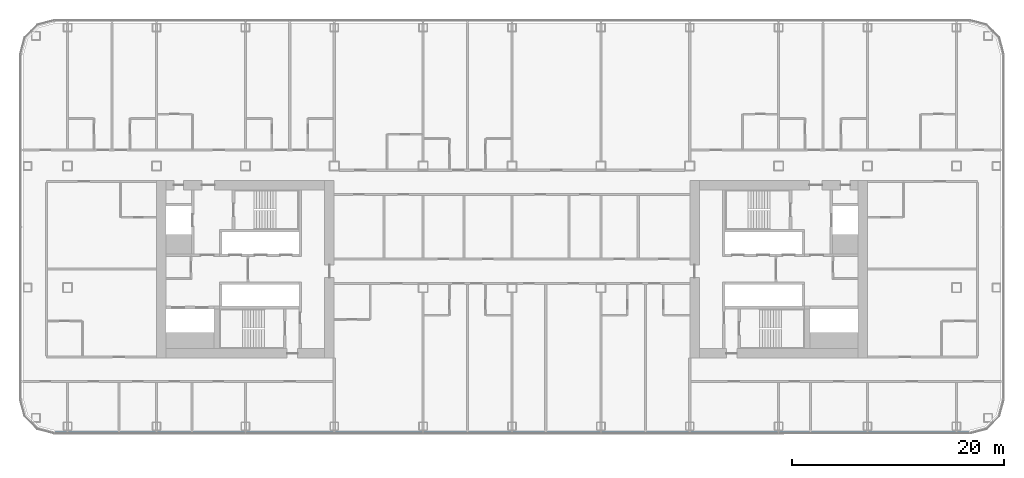
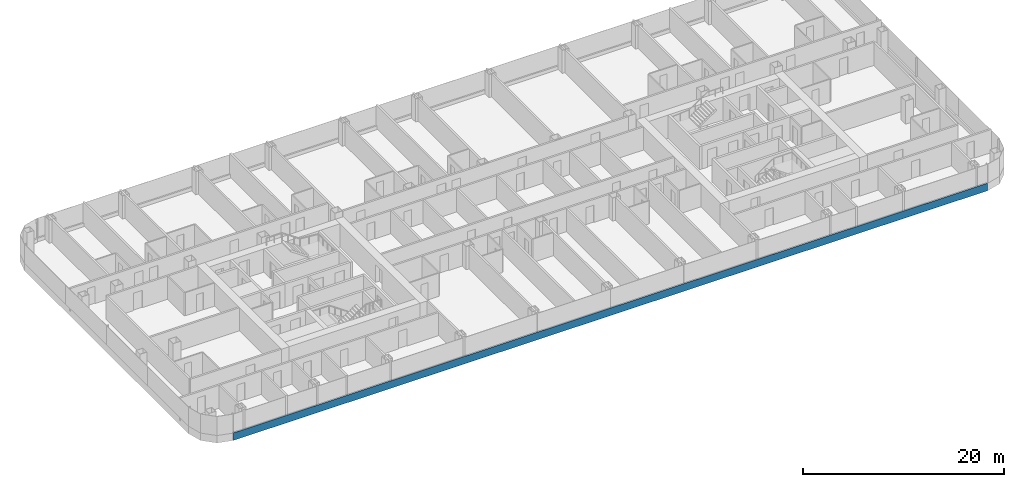
# One storey, part 5 of 29: 1 member, 1 element without a shape of its own.
"""IFC4 building model written with IfcOpenShell, lengths in metres."""

from ifc_helpers import new_model, si_unit, direction, frame, origin, origin_2d, place, context, subcontext, project, spatial, rectangle, extrude, material, layer, layer_set, material_profile, profile_set, type_object, element, aggregate, save


model = new_model("IFC4")

# Units and contexts
model_context = context("Model", 3, precision=1e-05, world=origin(), true_north=direction((0.0, 1.0)))
body_context = subcontext(model_context, "Body", "Model", "MODEL_VIEW")
ifc_project = project(units=[si_unit("LENGTHUNIT", "METRE"), si_unit("AREAUNIT", "SQUARE_METRE"), si_unit("VOLUMEUNIT", "CUBIC_METRE"), si_unit("PLANEANGLEUNIT", "RADIAN"), si_unit("MASSUNIT", "GRAM", prefix="KILO")], contexts=[model_context])

# Site, building, storey
site_placement = place(None, origin())
site = spatial("IfcSite", under=ifc_project, at=site_placement, CompositionType="ELEMENT")
building_placement = place(site_placement, origin())
building = spatial("IfcBuilding", under=site, at=building_placement, Name="Hakoniwa Tower and Hamabe Station Hall", CompositionType="ELEMENT")
storey_placement = place(building_placement, frame((0.0, 0.0, 113.800048828125)))
storey = spatial("IfcBuildingStorey", under=building, at=storey_placement, Name="L32", CompositionType="ELEMENT", Elevation=113.800048828125)

# Curtain wall, member
ifc_material_1 = material(Name="Dark low-e laminated glass", Category="glass")
ifc_layer = layer(ifc_material_1, 0.199951171875)
ifc_layer_set = layer_set([ifc_layer], Name="CW-1 UNITISED GUEST")
curtain_wall_type = type_object("IfcCurtainWallType", Name="CW-1 UNITISED GUEST", PredefinedType="NOTDEFINED", material=ifc_layer_set)
curtain_wall_placement = place(storey_placement, origin())
curtain_wall = element("IfcCurtainWall", 1, at=curtain_wall_placement, inside=storey, type_object=curtain_wall_type, Name="CW-1 curtain wall", PredefinedType="NOTDEFINED")
ifc_material_2 = material(Name="Aluminium 6063-T5 black anodised", Category="aluminium")
ifc_material_profile = material_profile(ifc_material_2, rectangle(XDim=0.199951171875, YDim=0.89990234375, at=origin_2d()), Name="CW SLAB-EDGE BAND 900X200")
ifc_profile_set = profile_set([ifc_material_profile], Name="Aluminium 6063-T5 black anodised")
member_type = type_object("IfcMemberType", Name="CW SLAB-EDGE BAND 900X200", PredefinedType="USERDEFINED", material=ifc_profile_set)
member_placement = place(storey_placement, frame((-43.239501953125, -15.449951171875, -0.10009765625), z_axis=(1.0, 0.0, 0.0), x_axis=(0.0, 1.0, 0.0)))
member = element("IfcMember", 2, at=member_placement, type_object=member_type, Name="CW-1 transom", ObjectType="TRANSOM", PredefinedType="USERDEFINED", context=body_context, shape_type="SweptSolid", body=[
    extrude(rectangle(XDim=0.199951171875, YDim=0.89990234375, at=origin_2d()), origin(), (0.0, 0.0, 1.0), 86.47900390625),
])
aggregate(curtain_wall, [member])

save(model, "model.ifc")
